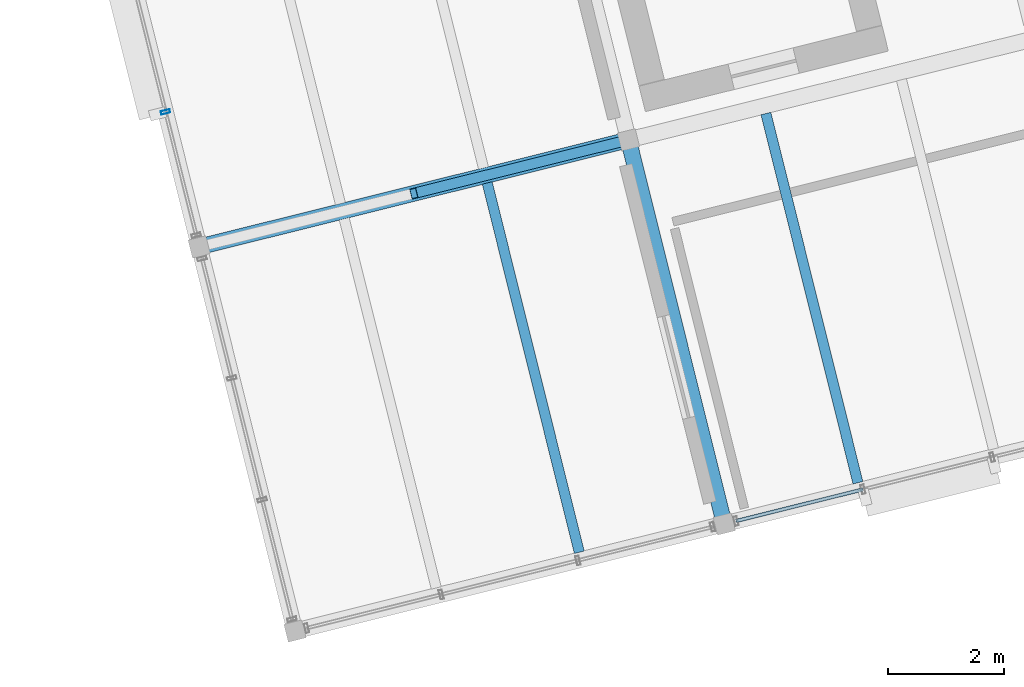
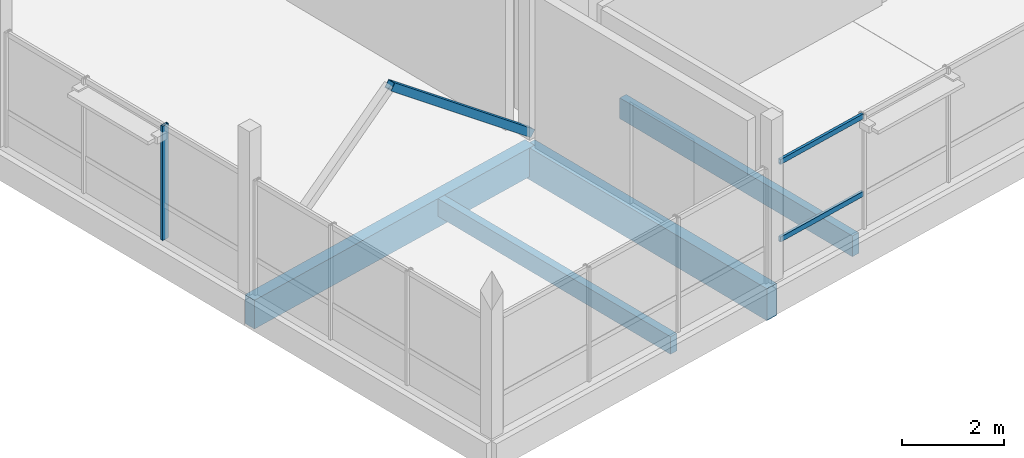
# One storey, part 3 of 24: 4 beams, 4 members, 2 elements without a shape of their own.
"""IFC4 building model written with IfcOpenShell, lengths in metres."""

from ifc_helpers import new_model, si_unit, direction, frame, origin, origin_2d, place, context, subcontext, project, spatial, rectangle, hollow_rectangle, extrude, material, layer, layer_set, material_profile, profile_set, type_object, element, aggregate, save


model = new_model("IFC4")

# Units and contexts
model_context = context("Model", 3, precision=1e-05, world=origin(), true_north=direction((0.0, 1.0)))
body_context = subcontext(model_context, "Body", "Model", "MODEL_VIEW")
ifc_project = project(units=[si_unit("LENGTHUNIT", "METRE"), si_unit("AREAUNIT", "SQUARE_METRE"), si_unit("VOLUMEUNIT", "CUBIC_METRE"), si_unit("PLANEANGLEUNIT", "RADIAN"), si_unit("MASSUNIT", "GRAM", prefix="KILO")], contexts=[model_context])

# Site, building, storey
site_placement = place(None, origin())
site = spatial("IfcSite", under=ifc_project, at=site_placement, CompositionType="ELEMENT")
building_placement = place(site_placement, origin())
building = spatial("IfcBuilding", under=site, at=building_placement, Name="Meriwether Solvik Hall", CompositionType="ELEMENT")
storey_placement = place(building_placement, frame((0.0, 0.0, 57.300048828125)))
storey = spatial("IfcBuildingStorey", under=building, at=storey_placement, Name="L14", CompositionType="ELEMENT", Elevation=57.300048828125)

# Beams
ifc_material_1 = material(Name="Glulam Douglas-Fir 24F-V8 GL28h", Category="wood")
ifc_material_profile_1 = material_profile(ifc_material_1, rectangle(XDim=0.27294921875, YDim=0.68505859375, at=origin_2d()), Name="GLB-273X685")
ifc_profile_set_1 = profile_set([ifc_material_profile_1], Name="Glulam Douglas-Fir 24F-V8 GL28h")
beam_type_1 = type_object("IfcBeamType", Name="BM-GL-273X685", PredefinedType="BEAM", material=ifc_profile_set_1)
beam_1_placement = place(storey_placement, frame((66.954833984375, 47.798095703125, -0.54248046875), z_axis=(0.970295366785, 0.241923337436, 0.0), x_axis=(-0.241923337436, 0.970295366785, 0.0)))
element("IfcBeam", 1, at=beam_1_placement, inside=storey, type_object=beam_type_1, Name="Tower Girder TB:T1-T2 (L14)", PredefinedType="BEAM", context=body_context, shape_type="SweptSolid", body=[
    extrude(rectangle(XDim=0.27294921875, YDim=0.68505859375, at=origin_2d()), origin(), (0.0, 0.0, 1.0), 7.60009765625),
])
ifc_material_2 = material(Name="Glulam Douglas-Fir 24F-V8 GL28h", Category="wood")
ifc_material_profile_2 = material_profile(ifc_material_2, rectangle(XDim=0.27294921875, YDim=0.760009765625, at=origin_2d()), Name="GLB-273X760")
ifc_profile_set_2 = profile_set([ifc_material_profile_2], Name="Glulam Douglas-Fir 24F-V8 GL28h")
beam_type_2 = type_object("IfcBeamType", Name="BM-GL-273X760", PredefinedType="BEAM", material=ifc_profile_set_2)
beam_2_placement = place(storey_placement, frame((75.974365234375, 43.03857421875, -0.580078125), z_axis=(-0.241944251278, 0.970290152106, 0.0), x_axis=(-0.970290152106, -0.241944251278, 0.0)))
element("IfcBeam", 2, at=beam_2_placement, inside=storey, type_object=beam_type_2, Name="Tower Girder T2:TA-TB (L14)", PredefinedType="BEAM", context=body_context, shape_type="SweptSolid", body=[
    extrude(rectangle(XDim=0.27294921875, YDim=0.760009765625, at=origin_2d()), origin(), (0.0, 0.0, 1.0), 6.80029296875),
])

# Curtain wall, member
ifc_material_3 = material(Name="Thermally Broken Anodised Aluminium 6063-T6 and Low-E Glass", Category="aluminium")
ifc_layer_1 = layer(ifc_material_3, 0.179931640625)
ifc_layer_set_1 = layer_set([ifc_layer_1], Name="Thermally Broken Anodised Aluminium 6063-T6 and Low-E Glass")
curtain_wall_type_1 = type_object("IfcCurtainWallType", Name="CW-UNIT-B", PredefinedType="USERDEFINED", material=ifc_layer_set_1)
curtain_wall_1_placement = place(storey_placement, origin())
curtain_wall_1 = element("IfcCurtainWall", 3, at=curtain_wall_1_placement, inside=storey, type_object=curtain_wall_type_1, Name="Curtain Wall E3_B1 (L14)", ObjectType="UNITISED CURTAIN WALL", PredefinedType="USERDEFINED")
ifc_material_4 = material(Name="Anodised Aluminium 6063-T6", Category="aluminium")
ifc_material_profile_3 = material_profile(ifc_material_4, hollow_rectangle(XDim=0.06005859375, YDim=0.159912109375, WallThickness=0.00390625, at=origin_2d()), Name="CWM-60X160")
ifc_profile_set_3 = profile_set([ifc_material_profile_3], Name="Anodised Aluminium 6063-T6")
member_type_1 = type_object("IfcMemberType", Name="CW-MUL-60X160", PredefinedType="MULLION", material=ifc_profile_set_3)
member_1_placement = place(storey_placement, frame((66.376708984375, 50.116943359375, 0.0), z_axis=(0.0, 0.0, 1.0), x_axis=(-0.241921784185, 0.970295754055, 0.0)))
member_1 = element("IfcMember", 4, at=member_1_placement, type_object=member_type_1, Name="Curtain Wall Mullion 2", PredefinedType="MULLION", context=body_context, shape_type="SweptSolid", body=[
    extrude(hollow_rectangle(XDim=0.06005859375, YDim=0.159912109375, WallThickness=0.00390625, at=origin_2d()), origin(), (0.0, 0.0, 1.0), 2.724853515625),
])
aggregate(curtain_wall_1, [member_1])

# Curtain wall, members
ifc_material_5 = material(Name="Thermally Broken Anodised Aluminium 6063-T6 and Low-E Glass", Category="aluminium")
ifc_layer_2 = layer(ifc_material_5, 0.179931640625)
ifc_layer_set_2 = layer_set([ifc_layer_2], Name="Thermally Broken Anodised Aluminium 6063-T6 and Low-E Glass")
curtain_wall_type_2 = type_object("IfcCurtainWallType", Name="CW-UNIT-F", PredefinedType="USERDEFINED", material=ifc_layer_set_2)
curtain_wall_2_placement = place(storey_placement, origin())
curtain_wall_2 = element("IfcCurtainWall", 5, at=curtain_wall_2_placement, inside=storey, type_object=curtain_wall_type_2, Name="Curtain Wall E0_B1 (L14)", ObjectType="UNITISED CURTAIN WALL", PredefinedType="USERDEFINED")
ifc_material_6 = material(Name="Anodised Aluminium 6063-T6", Category="aluminium")
ifc_material_profile_4 = material_profile(ifc_material_6, hollow_rectangle(XDim=0.06005859375, YDim=0.1201171875, WallThickness=0.00390625, at=origin_2d()), Name="CWT-60X120")
ifc_profile_set_4 = profile_set([ifc_material_profile_4], Name="Anodised Aluminium 6063-T6")
member_type_2 = type_object("IfcMemberType", Name="CW-TRN-60X120", PredefinedType="USERDEFINED", material=ifc_profile_set_4)
member_2_placement = place(storey_placement, frame((78.357666015625, 43.6328125, 0.8173828125), z_axis=(-0.970308305597, -0.241871437108, 0.0), x_axis=(0.241871437108, -0.970308305597, 0.0)))
member_2 = element("IfcMember", 6, at=member_2_placement, type_object=member_type_2, Name="Curtain Wall Transom 3-sill", ObjectType="TRANSOM", PredefinedType="USERDEFINED", context=body_context, shape_type="SweptSolid", body=[
    extrude(hollow_rectangle(XDim=0.06005859375, YDim=0.1201171875, WallThickness=0.00390625, at=origin_2d()), origin(), (0.0, 0.0, 1.0), 2.2490234375),
])
member_3_placement = place(storey_placement, frame((78.357666015625, 43.6328125, 2.6650390625), z_axis=(-0.970308305597, -0.241871437108, 0.0), x_axis=(0.241871437108, -0.970308305597, 0.0)))
member_3 = element("IfcMember", 7, at=member_3_placement, type_object=member_type_2, Name="Curtain Wall Transom 3-head", ObjectType="TRANSOM", PredefinedType="USERDEFINED", context=body_context, shape_type="SweptSolid", body=[
    extrude(hollow_rectangle(XDim=0.06005859375, YDim=0.1201171875, WallThickness=0.00390625, at=origin_2d()), origin(), (0.0, 0.0, 1.0), 2.2490234375),
])
aggregate(curtain_wall_2, [member_2, member_3])

# Beams
ifc_material_7 = material(Name="Glulam Douglas-Fir 24F-V8 GL28h", Category="wood")
ifc_material_profile_5 = material_profile(ifc_material_7, rectangle(XDim=0.175048828125, YDim=0.419921875, at=origin_2d()), Name="GLJ-175X420")
ifc_profile_set_5 = profile_set([ifc_material_profile_5], Name="Glulam Douglas-Fir 24F-V8 GL28h")
beam_type_3 = type_object("IfcBeamType", Name="JST-GL-175X420", PredefinedType="JOIST", material=ifc_profile_set_5)
beam_3_placement = place(storey_placement, frame((73.484375, 42.55322265625, -0.41015625), z_axis=(-0.241929249708, 0.970293892661, 0.0), x_axis=(-0.970293892661, -0.241929249708, 0.0)))
element("IfcBeam", 8, at=beam_3_placement, inside=storey, type_object=beam_type_3, Name="Glulam Floor Joist T1/TA-J2 (L14)", PredefinedType="JOIST", context=body_context, shape_type="SweptSolid", body=[
    extrude(rectangle(XDim=0.175048828125, YDim=0.419921875, at=origin_2d()), origin(), (0.0, 0.0, 1.0), 6.537109375),
])
ifc_material_8 = material(Name="Glulam Douglas-Fir 24F-V8 GL28h", Category="wood")
ifc_material_profile_6 = material_profile(ifc_material_8, rectangle(XDim=0.175048828125, YDim=0.4951171875, at=origin_2d()), Name="GLJ-175X495")
ifc_profile_set_6 = profile_set([ifc_material_profile_6], Name="Glulam Douglas-Fir 24F-V8 GL28h")
beam_type_4 = type_object("IfcBeamType", Name="JST-GL-175X495", PredefinedType="JOIST", material=ifc_profile_set_6)
beam_4_placement = place(storey_placement, frame((78.271240234375, 43.746826171875, -0.447509765625), z_axis=(-0.241938016776, 0.970291706673, 0.0), x_axis=(-0.970291706673, -0.241938016776, 0.0)))
element("IfcBeam", 9, at=beam_4_placement, inside=storey, type_object=beam_type_4, Name="Glulam Floor Joist T2/TA-J1 (L14)", PredefinedType="JOIST", context=body_context, shape_type="SweptSolid", body=[
    extrude(rectangle(XDim=0.175048828125, YDim=0.4951171875, at=origin_2d()), origin(), (0.0, 0.0, 1.0), 6.536865234375),
])

# Member
ifc_material_9 = material(Name="Steel A500 Grade C", Category="steel")
ifc_material_profile_7 = material_profile(ifc_material_9, hollow_rectangle(XDim=0.177978515625, YDim=0.177978515625, WallThickness=0.009521484375, at=origin_2d()), Name="HSS178X178X9.5")
ifc_profile_set_7 = profile_set([ifc_material_profile_7], Name="Steel A500 Grade C")
member_type_3 = type_object("IfcMemberType", Name="MEM-BR-HSS178", PredefinedType="BRACE", material=ifc_profile_set_7)
member_4_placement = place(storey_placement, frame((74.3291015625, 49.63671875, 0.050048828125), z_axis=(-0.765461238039, -0.190883791713, 0.614518080386), x_axis=(0.241961122321, -0.970285945114, 0.0)))
element("IfcMember", 10, at=member_4_placement, inside=storey, type_object=member_type_3, Name="Tower Chevron Brace L14-B1B", PredefinedType="BRACE", context=body_context, shape_type="SweptSolid", body=[
    extrude(hollow_rectangle(XDim=0.177978515625, YDim=0.177978515625, WallThickness=0.009521484375, at=origin_2d()), origin(), (0.0, 0.0, 1.0), 4.816650390625),
])

save(model, "model.ifc")
